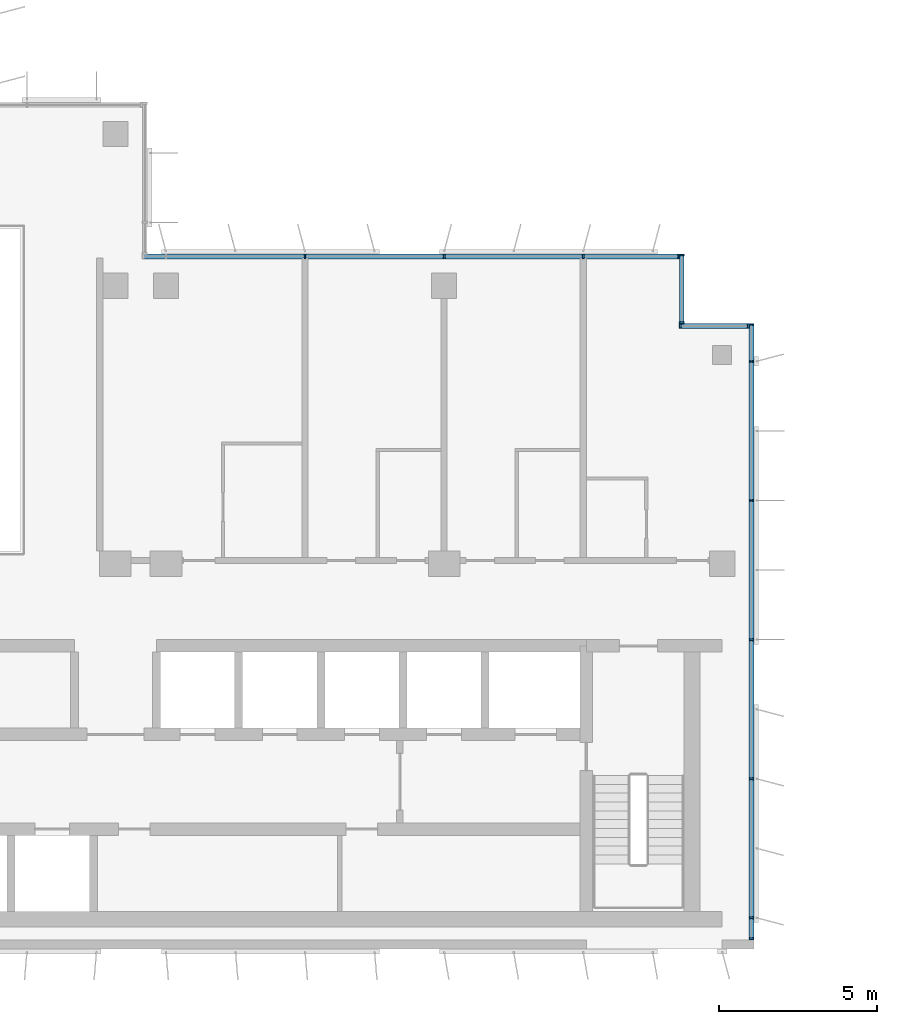
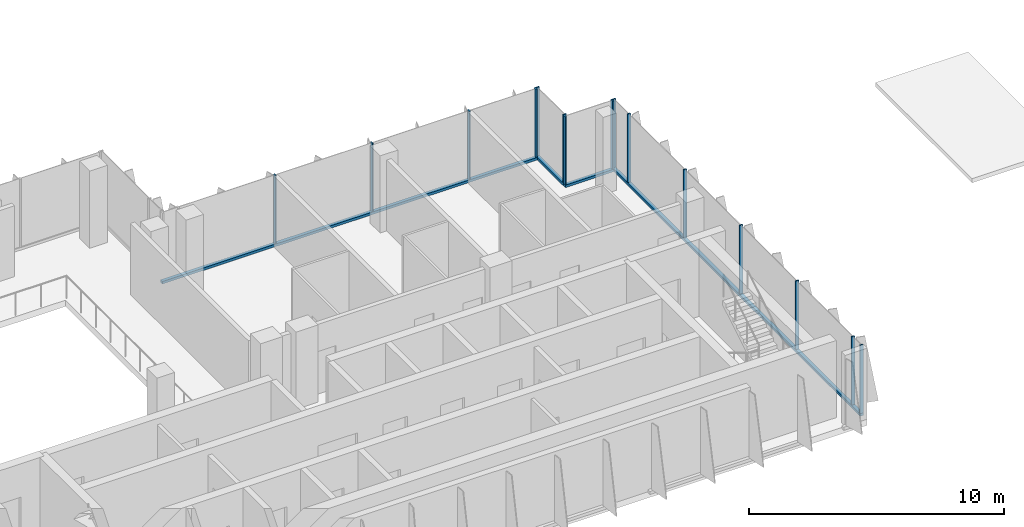
# One storey, part 3 of 17: 19 members, 4 elements without a shape of their own.
"""IFC4 building model written with IfcOpenShell, lengths in metres."""

from ifc_helpers import new_model, si_unit, direction, frame, origin, origin_2d, place, context, subcontext, project, spatial, rectangle, extrude, source, transform, mapped, material, material_profile, profile_set, type_object, element, aggregate, save


model = new_model("IFC4")

# Units and contexts
model_context = context("Model", 3, precision=1e-05, world=origin(), true_north=direction((0.0, 1.0)))
body_context = subcontext(model_context, "Body", "Model", "MODEL_VIEW")
ifc_project = project(units=[si_unit("LENGTHUNIT", "METRE"), si_unit("AREAUNIT", "SQUARE_METRE"), si_unit("VOLUMEUNIT", "CUBIC_METRE"), si_unit("PLANEANGLEUNIT", "RADIAN"), si_unit("MASSUNIT", "GRAM", prefix="KILO")], contexts=[model_context])

# Site, building, storey
site_placement = place(None, origin())
site = spatial("IfcSite", under=ifc_project, at=site_placement, CompositionType="ELEMENT")
building_placement = place(site_placement, origin())
building = spatial("IfcBuilding", under=site, at=building_placement, Name="Kemantara Hotel Tower", CompositionType="ELEMENT")
storey_placement = place(building_placement, frame((0.0, 0.0, 226.5)))
storey = spatial("IfcBuildingStorey", under=building, at=storey_placement, Name="L56", CompositionType="ELEMENT", Elevation=226.5)

# Curtain wall, member
ifc_material_1 = material(Name="Low-E tinted double insulated glass 36 mm", Category="glass")
curtain_wall_type = type_object("IfcCurtainWallType", Name="TOWER CURTAIN WALL, FRONT FACES", PredefinedType="USERDEFINED", material=ifc_material_1)
curtain_wall_1_placement = place(storey_placement, origin())
curtain_wall_1 = element("IfcCurtainWall", 1, at=curtain_wall_1_placement, inside=storey, type_object=curtain_wall_type, Name="CW4 L56 T4-R09-1", ObjectType="TOWER CURTAIN WALL, FRONT FACES", PredefinedType="USERDEFINED")
ifc_material_2 = material(Name="Aluminium 6063-T6 bronze anodised", Category="aluminium")
ifc_material_profile_1 = material_profile(ifc_material_2, rectangle(XDim=0.14990234375, YDim=0.1201171875, at=origin_2d()), Name="TOWER CURTAIN WALL, FRONT FACES TRANSOM")
ifc_profile_set_1 = profile_set([ifc_material_profile_1], Name="Aluminium 6063-T6 bronze anodised")
member_type_1 = type_object("IfcMemberType", Name="TOWER CURTAIN WALL, FRONT FACES TRANSOM", PredefinedType="USERDEFINED", material=ifc_profile_set_1)
member_1_placement = place(storey_placement, frame((45.925048828125, 0.300048828125, 0.06005859375), z_axis=(0.0, 1.0, 0.0), x_axis=(-1.0, 0.0, 0.0)))
member_1 = element("IfcMember", 2, at=member_1_placement, type_object=member_type_1, Name="CW4 sill transom T4-R09-1", ObjectType="TRANSOM", PredefinedType="USERDEFINED", context=body_context, shape_type="SweptSolid", body=[
    extrude(rectangle(XDim=0.14990234375, YDim=0.1201171875, at=origin_2d()), origin(), (0.0, 0.0, 1.0), 19.5),
])

curtain_wall_2_placement = place(storey_placement, origin())
curtain_wall_2 = element("IfcCurtainWall", 3, at=curtain_wall_2_placement, inside=storey, type_object=curtain_wall_type, Name="CW4 L56 T4-R12-1", ObjectType="TOWER CURTAIN WALL, FRONT FACES", PredefinedType="USERDEFINED")
member_2_placement = place(storey_placement, frame((43.64990234375, 21.925048828125, 0.06005859375), z_axis=(-1.0, 0.0, 0.0), x_axis=(0.0, -1.0, 0.0)))
member_2 = element("IfcMember", 4, at=member_2_placement, type_object=member_type_1, Name="CW4 sill transom T4-R12-1", ObjectType="TRANSOM", PredefinedType="USERDEFINED", context=body_context, shape_type="SweptSolid", body=[
    extrude(rectangle(XDim=0.14990234375, YDim=0.1201171875, at=origin_2d()), origin(), (0.0, 0.0, 1.0), 17.0),
])

curtain_wall_3_placement = place(storey_placement, origin())
curtain_wall_3 = element("IfcCurtainWall", 5, at=curtain_wall_3_placement, inside=storey, type_object=curtain_wall_type, Name="CW4 L56 T4-R10-1", ObjectType="TOWER CURTAIN WALL, FRONT FACES", PredefinedType="USERDEFINED")
member_3_placement = place(storey_placement, frame((45.85009765625, 19.72509765625, 0.06005859375), z_axis=(-1.0, 0.0, 0.0), x_axis=(0.0, -1.0, 0.0)))
member_3 = element("IfcMember", 6, at=member_3_placement, type_object=member_type_1, Name="CW4 sill transom T4-R10-1", ObjectType="TRANSOM", PredefinedType="USERDEFINED", context=body_context, shape_type="SweptSolid", body=[
    extrude(rectangle(XDim=0.14990234375, YDim=0.1201171875, at=origin_2d()), origin(), (0.0, 0.0, 1.0), 2.2001953125),
])

curtain_wall_4_placement = place(storey_placement, origin())
curtain_wall_4 = element("IfcCurtainWall", 7, at=curtain_wall_4_placement, inside=storey, type_object=curtain_wall_type, Name="CW4 L56 T4-R11-1", ObjectType="TOWER CURTAIN WALL, FRONT FACES", PredefinedType="USERDEFINED")
member_4_placement = place(storey_placement, frame((43.72509765625, 19.800048828125, 0.06005859375), z_axis=(0.0, 1.0, 0.0), x_axis=(-1.0, 0.0, 0.0)))
member_4 = element("IfcMember", 8, at=member_4_placement, type_object=member_type_1, Name="CW4 sill transom T4-R11-1", ObjectType="TRANSOM", PredefinedType="USERDEFINED", context=body_context, shape_type="SweptSolid", body=[
    extrude(rectangle(XDim=0.14990234375, YDim=0.1201171875, at=origin_2d()), origin(), (0.0, 0.0, 1.0), 2.199951171875),
])

# Member
ifc_material_profile_2 = material_profile(ifc_material_2, rectangle(XDim=0.14990234375, YDim=0.06005859375, at=origin_2d()), Name="TOWER CURTAIN WALL, FRONT FACES MULLION")
ifc_profile_set_2 = profile_set([ifc_material_profile_2], Name="Aluminium 6063-T6 bronze anodised")
member_type_2 = type_object("IfcMemberType", Name="TOWER CURTAIN WALL, FRONT FACES MULLION", PredefinedType="MULLION", material=ifc_profile_set_2)
shared_shape = source(origin(), body_context, "Body", "SweptSolid", [
    extrude(rectangle(XDim=0.14990234375, YDim=0.06005859375, at=origin_2d()), origin(), (0.0, 0.0, 1.0), 3.27978515625),
])
member_5_placement = place(storey_placement, frame((45.925048828125, 0.330078125, 0.1201171875), z_axis=(0.0, 0.0, 1.0), x_axis=(-1.0, 0.0, 0.0)))
member_5 = element("IfcMember", 9, at=member_5_placement, type_object=member_type_2, Name="CW4 mullion T4-R09-1.1", PredefinedType="MULLION", context=body_context, shape_type="MappedRepresentation", body=[
    mapped(shared_shape, transform((0.0, 0.0, 0.0))),
])

member_6_placement = place(storey_placement, frame((45.925048828125, 1.0, 0.1201171875), z_axis=(0.0, 0.0, 1.0), x_axis=(-1.0, 0.0, 0.0)))
member_6 = element("IfcMember", 10, at=member_6_placement, type_object=member_type_2, Name="CW4 mullion T4-R09-1.2", PredefinedType="MULLION", context=body_context, shape_type="MappedRepresentation", body=[
    mapped(shared_shape, transform((0.0, 0.0, 0.0))),
])

member_7_placement = place(storey_placement, frame((45.925048828125, 5.39990234375, 0.1201171875), z_axis=(0.0, 0.0, 1.0), x_axis=(-1.0, 0.0, 0.0)))
member_7 = element("IfcMember", 11, at=member_7_placement, type_object=member_type_2, Name="CW4 mullion T4-R09-1.3", PredefinedType="MULLION", context=body_context, shape_type="MappedRepresentation", body=[
    mapped(shared_shape, transform((0.0, 0.0, 0.0))),
])

member_8_placement = place(storey_placement, frame((45.925048828125, 9.800048828125, 0.1201171875), z_axis=(0.0, 0.0, 1.0), x_axis=(-1.0, 0.0, 0.0)))
member_8 = element("IfcMember", 12, at=member_8_placement, type_object=member_type_2, Name="CW4 mullion T4-R09-1.4", PredefinedType="MULLION", context=body_context, shape_type="MappedRepresentation", body=[
    mapped(shared_shape, transform((0.0, 0.0, 0.0))),
])

member_9_placement = place(storey_placement, frame((45.925048828125, 14.199951171875, 0.1201171875), z_axis=(0.0, 0.0, 1.0), x_axis=(-1.0, 0.0, 0.0)))
member_9 = element("IfcMember", 13, at=member_9_placement, type_object=member_type_2, Name="CW4 mullion T4-R09-1.5", PredefinedType="MULLION", context=body_context, shape_type="MappedRepresentation", body=[
    mapped(shared_shape, transform((0.0, 0.0, 0.0))),
])

member_10_placement = place(storey_placement, frame((45.925048828125, 18.60009765625, 0.1201171875), z_axis=(0.0, 0.0, 1.0), x_axis=(-1.0, 0.0, 0.0)))
member_10 = element("IfcMember", 14, at=member_10_placement, type_object=member_type_2, Name="CW4 mullion T4-R09-1.6", PredefinedType="MULLION", context=body_context, shape_type="MappedRepresentation", body=[
    mapped(shared_shape, transform((0.0, 0.0, 0.0))),
])

member_11_placement = place(storey_placement, frame((45.925048828125, 19.77001953125, 0.1201171875), z_axis=(0.0, 0.0, 1.0), x_axis=(-1.0, 0.0, 0.0)))
member_11 = element("IfcMember", 15, at=member_11_placement, type_object=member_type_2, Name="CW4 mullion T4-R09-1.7", PredefinedType="MULLION", context=body_context, shape_type="MappedRepresentation", body=[
    mapped(shared_shape, transform((0.0, 0.0, 0.0))),
])

aggregate(curtain_wall_1, [member_1, member_5, member_6, member_7, member_8, member_9, member_10, member_11])

member_12_placement = place(storey_placement, frame((43.6201171875, 21.925048828125, 0.1201171875), z_axis=(0.0, 0.0, 1.0), x_axis=(0.0, -1.0, 0.0)))
member_12 = element("IfcMember", 16, at=member_12_placement, type_object=member_type_2, Name="CW4 mullion T4-R12-1.1", PredefinedType="MULLION", context=body_context, shape_type="MappedRepresentation", body=[
    mapped(shared_shape, transform((0.0, 0.0, 0.0))),
])

member_13_placement = place(storey_placement, frame((40.60009765625, 21.925048828125, 0.1201171875), z_axis=(0.0, 0.0, 1.0), x_axis=(0.0, -1.0, 0.0)))
member_13 = element("IfcMember", 17, at=member_13_placement, type_object=member_type_2, Name="CW4 mullion T4-R12-1.2", PredefinedType="MULLION", context=body_context, shape_type="MappedRepresentation", body=[
    mapped(shared_shape, transform((0.0, 0.0, 0.0))),
])

member_14_placement = place(storey_placement, frame((36.199951171875, 21.925048828125, 0.1201171875), z_axis=(0.0, 0.0, 1.0), x_axis=(0.0, -1.0, 0.0)))
member_14 = element("IfcMember", 18, at=member_14_placement, type_object=member_type_2, Name="CW4 mullion T4-R12-1.3", PredefinedType="MULLION", context=body_context, shape_type="MappedRepresentation", body=[
    mapped(shared_shape, transform((0.0, 0.0, 0.0))),
])

member_15_placement = place(storey_placement, frame((31.800048828125, 21.925048828125, 0.1201171875), z_axis=(0.0, 0.0, 1.0), x_axis=(0.0, -1.0, 0.0)))
member_15 = element("IfcMember", 19, at=member_15_placement, type_object=member_type_2, Name="CW4 mullion T4-R12-1.4", PredefinedType="MULLION", context=body_context, shape_type="MappedRepresentation", body=[
    mapped(shared_shape, transform((0.0, 0.0, 0.0))),
])

aggregate(curtain_wall_2, [member_2, member_12, member_13, member_14, member_15])

member_16_placement = place(storey_placement, frame((45.820068359375, 19.72509765625, 0.1201171875), z_axis=(0.0, 0.0, 1.0), x_axis=(0.0, -1.0, 0.0)))
member_16 = element("IfcMember", 20, at=member_16_placement, type_object=member_type_2, Name="CW4 mullion T4-R10-1.1", PredefinedType="MULLION", context=body_context, shape_type="MappedRepresentation", body=[
    mapped(shared_shape, transform((0.0, 0.0, 0.0))),
])

member_17_placement = place(storey_placement, frame((43.679931640625, 19.72509765625, 0.1201171875), z_axis=(0.0, 0.0, 1.0), x_axis=(0.0, -1.0, 0.0)))
member_17 = element("IfcMember", 21, at=member_17_placement, type_object=member_type_2, Name="CW4 mullion T4-R10-1.2", PredefinedType="MULLION", context=body_context, shape_type="MappedRepresentation", body=[
    mapped(shared_shape, transform((0.0, 0.0, 0.0))),
])

aggregate(curtain_wall_3, [member_3, member_16, member_17])

member_18_placement = place(storey_placement, frame((43.72509765625, 19.830078125, 0.1201171875), z_axis=(0.0, 0.0, 1.0), x_axis=(-1.0, 0.0, 0.0)))
member_18 = element("IfcMember", 22, at=member_18_placement, type_object=member_type_2, Name="CW4 mullion T4-R11-1.1", PredefinedType="MULLION", context=body_context, shape_type="MappedRepresentation", body=[
    mapped(shared_shape, transform((0.0, 0.0, 0.0))),
])

member_19_placement = place(storey_placement, frame((43.72509765625, 21.969970703125, 0.1201171875), z_axis=(0.0, 0.0, 1.0), x_axis=(-1.0, 0.0, 0.0)))
member_19 = element("IfcMember", 23, at=member_19_placement, type_object=member_type_2, Name="CW4 mullion T4-R11-1.2", PredefinedType="MULLION", context=body_context, shape_type="MappedRepresentation", body=[
    mapped(shared_shape, transform((0.0, 0.0, 0.0))),
])

aggregate(curtain_wall_4, [member_4, member_18, member_19])

save(model, "model.ifc")
